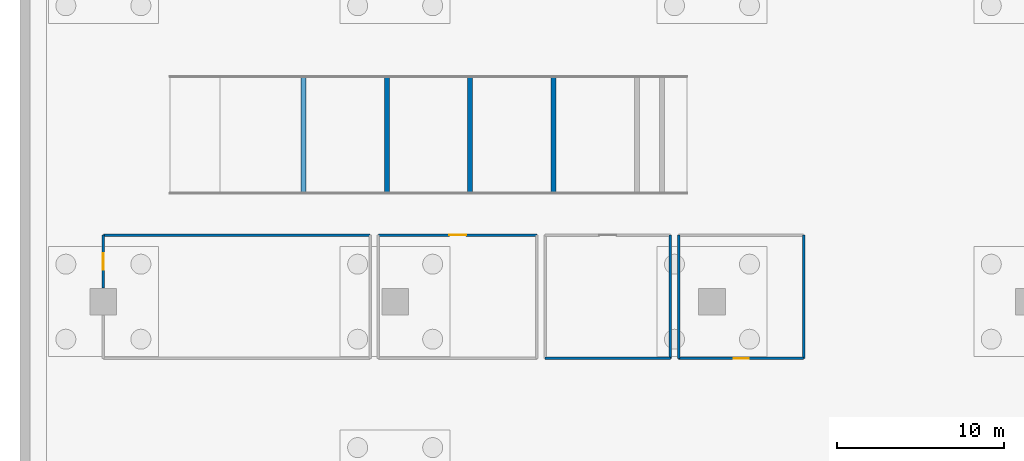
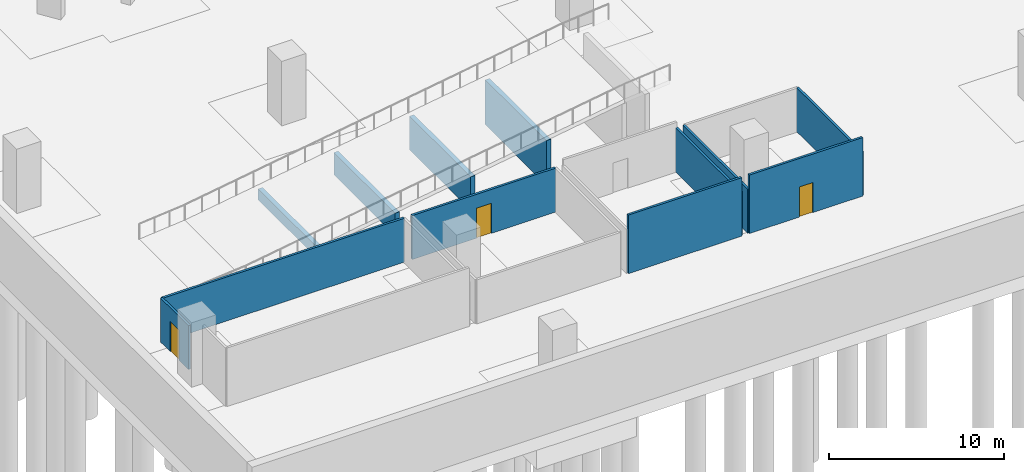
# One storey, part 3 of 13: 12 walls, 3 doors, 3 openings.
"""IFC4 building model written with IfcOpenShell, lengths in metres."""

from ifc_helpers import new_model, si_unit, direction, frame, frame_2d, origin, place, context, subcontext, project, spatial, rectangle, extrude, material, layer, layer_set, type_object, element, fill, save


model = new_model("IFC4")

# Units and contexts
model_context = context("Model", 3, precision=1e-05, world=origin(), true_north=direction((0.0, 1.0)))
body_context = subcontext(model_context, "Body", "Model", "MODEL_VIEW")
ifc_project = project(units=[si_unit("LENGTHUNIT", "METRE"), si_unit("AREAUNIT", "SQUARE_METRE"), si_unit("VOLUMEUNIT", "CUBIC_METRE"), si_unit("PLANEANGLEUNIT", "RADIAN"), si_unit("MASSUNIT", "GRAM", prefix="KILO")], contexts=[model_context])

# Site, building, storey
site_placement = place(None, origin())
site = spatial("IfcSite", under=ifc_project, at=site_placement, CompositionType="ELEMENT")
building_placement = place(site_placement, origin())
building = spatial("IfcBuilding", under=site, at=building_placement, Name="Tel Ilan Convention Tower", CompositionType="ELEMENT")
storey_placement = place(building_placement, frame((0.0, 0.0, -9.0)))
storey = spatial("IfcBuildingStorey", under=building, at=storey_placement, Name="B2", CompositionType="ELEMENT", Elevation=-9.0)

# Wall, opening, door
ifc_material_1 = material(Name="Plasterboard on Steel Studs", Category="steel")
ifc_layer_1 = layer(ifc_material_1, 0.14990234375)
ifc_layer_set_1 = layer_set([ifc_layer_1], Name="Fire-rated Partition 150 EI 60")
wall_type_1 = type_object("IfcWallType", Name="Fire-rated Partition 150 EI 60", PredefinedType="PARTITIONING", material=ifc_layer_set_1)
wall_1_placement = place(storey_placement, frame((-46.0009765625, -64.0, 0.0), z_axis=(0.0, 0.0, 1.0), x_axis=(0.0, -1.0, 0.0)))
wall_1 = element("IfcWall", 1, at=wall_1_placement, inside=storey, type_object=wall_type_1, Name="Partition 001", PredefinedType="PARTITIONING", context=body_context, shape_type="SweptSolid", body=[
    extrude(rectangle(XDim=3.179931640625, YDim=0.14990234375, at=frame_2d((1.58984375, 0.0))), origin(), (0.0, 0.0, 1.0), 3.070068359375),
])
opening_1_placement = place(wall_1_placement, frame((1.090087890625, 0.0, 0.0)))
opening_1 = element("IfcOpeningElement", 2, at=opening_1_placement, cuts=wall_1, Name="Opening B2-001", PredefinedType="OPENING", context=body_context, shape_type="SweptSolid", body=[
    extrude(rectangle(XDim=1.0, YDim=2.10009765625, at=frame_2d((0.5, 1.050048828125))), frame((0.0, 0.0849609375, 0.0), z_axis=(0.0, -1.0, 0.0), x_axis=(1.0, 0.0, 0.0)), (0.0, 0.0, 1.0), 0.169921875),
])
ifc_material_2 = material(Name="Timber Door Leaf in Steel Frame", Category="steel")
door_type_1 = type_object("IfcDoorType", Name="Plant Room Fire Door 1000x2100", OperationType="NOTDEFINED", PredefinedType="DOOR", material=ifc_material_2)
door_1_placement = place(opening_1_placement, origin())
door_1 = element("IfcDoor", 3, at=door_1_placement, inside=storey, type_object=door_type_1, Name="Door B2-001", OperationType="SINGLE_SWING_RIGHT", OverallHeight=2.10009765625, OverallWidth=1.0, PredefinedType="DOOR", context=body_context, shape_type="SweptSolid", body=[
    extrude(rectangle(XDim=1.0, YDim=2.10009765625, at=frame_2d((0.5, 1.050048828125))), frame((0.0, 0.02490234375, 0.0), z_axis=(0.0, -1.0, 0.0), x_axis=(1.0, 0.0, 0.0)), (0.0, 0.0, 1.0), 0.050048828125),
])
fill(opening_1, door_1)

# Wall
wall_2_placement = place(storey_placement, frame((-30.0, -63.9990234375, 0.0), z_axis=(0.0, 0.0, 1.0), x_axis=(-1.0, 0.0, 0.0)))
element("IfcWall", 4, at=wall_2_placement, inside=storey, type_object=wall_type_1, Name="Partition 005", PredefinedType="PARTITIONING", context=body_context, shape_type="SweptSolid", body=[
    extrude(rectangle(XDim=16.0, YDim=0.14990234375, at=frame_2d((8.0, 0.0))), origin(), (0.0, 0.0, 1.0), 3.070068359375),
])

# Wall, opening, door
wall_3_placement = place(storey_placement, frame((-20.0, -63.9990234375, 0.0), z_axis=(0.0, 0.0, 1.0), x_axis=(-1.0, 0.0, 0.0)))
wall_3 = element("IfcWall", 5, at=wall_3_placement, inside=storey, type_object=wall_type_1, Name="Partition 006", PredefinedType="PARTITIONING", context=body_context, shape_type="SweptSolid", body=[
    extrude(rectangle(XDim=9.5, YDim=0.14990234375, at=frame_2d((4.75, 0.0))), origin(), (0.0, 0.0, 1.0), 3.070068359375),
])
opening_2_placement = place(wall_3_placement, frame((4.25, 0.0, 0.0)))
opening_2 = element("IfcOpeningElement", 6, at=opening_2_placement, cuts=wall_3, Name="Opening B2-002", PredefinedType="OPENING", context=body_context, shape_type="SweptSolid", body=[
    extrude(rectangle(XDim=1.0, YDim=2.10009765625, at=frame_2d((0.5, 1.050048828125))), frame((0.0, 0.0849609375, 0.0), z_axis=(0.0, -1.0, 0.0), x_axis=(1.0, 0.0, 0.0)), (0.0, 0.0, 1.0), 0.169921875),
])
door_2_placement = place(opening_2_placement, origin())
door_2 = element("IfcDoor", 7, at=door_2_placement, inside=storey, type_object=door_type_1, Name="Door B2-002", OperationType="SINGLE_SWING_LEFT", OverallHeight=2.10009765625, OverallWidth=1.0, PredefinedType="DOOR", context=body_context, shape_type="SweptSolid", body=[
    extrude(rectangle(XDim=1.0, YDim=2.10009765625, at=frame_2d((0.5, 1.050048828125))), frame((0.0, 0.02490234375, 0.0), z_axis=(0.0, -1.0, 0.0), x_axis=(1.0, 0.0, 0.0)), (0.0, 0.0, 1.0), 0.050048828125),
])
fill(opening_2, door_2)

# Walls
wall_4_placement = place(storey_placement, frame((-19.5, -71.40087890625, 0.0), z_axis=(0.0, 0.0, 1.0), x_axis=(1.0, 0.0, 0.0)))
element("IfcWall", 8, at=wall_4_placement, inside=storey, type_object=wall_type_1, Name="Partition 012", PredefinedType="PARTITIONING", context=body_context, shape_type="SweptSolid", body=[
    extrude(rectangle(XDim=7.5, YDim=0.14990234375, at=frame_2d((3.75, 0.0))), origin(), (0.0, 0.0, 1.0), 4.090087890625),
])
for number, where, z_axis, x_axis, name in (
    (9, (-11.9990234375, -71.39990234375, 0.0), (0.0, 0.0, 1.0), (0.0, 1.0, 0.0), "Partition 013"),
    (10, (-11.5009765625, -64.0, 0.0), (0.0, 0.0, 1.0), (0.0, -1.0, 0.0), "Partition 023"),
):
    element("IfcWall", number, at=place(storey_placement, frame(where, z_axis=z_axis, x_axis=x_axis)), inside=storey, type_object=wall_type_1, Name=name, PredefinedType="PARTITIONING", context=body_context, shape_type="SweptSolid", body=[
        extrude(rectangle(XDim=7.39990234375, YDim=0.14990234375, at=frame_2d((3.699951171875, 0.0))), origin(), (0.0, 0.0, 1.0), 3.070068359375),
    ])

# Wall, opening, door
wall_5_placement = place(storey_placement, frame((-11.5, -71.40087890625, 0.0), z_axis=(0.0, 0.0, 1.0), x_axis=(1.0, 0.0, 0.0)))
wall_5 = element("IfcWall", 11, at=wall_5_placement, inside=storey, type_object=wall_type_1, Name="Partition 024", PredefinedType="PARTITIONING", context=body_context, shape_type="SweptSolid", body=[
    extrude(rectangle(XDim=7.5, YDim=0.14990234375, at=frame_2d((3.75, 0.0))), origin(), (0.0, 0.0, 1.0), 4.090087890625),
])
opening_3_placement = place(wall_5_placement, frame((3.300048828125, 0.0, 0.0)))
opening_3 = element("IfcOpeningElement", 12, at=opening_3_placement, cuts=wall_5, Name="Opening B2-006", PredefinedType="OPENING", context=body_context, shape_type="SweptSolid", body=[
    extrude(rectangle(XDim=0.89990234375, YDim=2.10009765625, at=frame_2d((0.449951171875, 1.050048828125))), frame((0.0, 0.0849609375, 0.0), z_axis=(0.0, -1.0, 0.0), x_axis=(1.0, 0.0, 0.0)), (0.0, 0.0, 1.0), 0.169921875),
])
ifc_material_3 = material(Name="Timber Door Leaf in Steel Frame", Category="steel")
door_type_2 = type_object("IfcDoorType", Name="Riser and Service Fire Door 900x2100", OperationType="NOTDEFINED", PredefinedType="DOOR", material=ifc_material_3)
door_3_placement = place(opening_3_placement, origin())
door_3 = element("IfcDoor", 13, at=door_3_placement, inside=storey, type_object=door_type_2, Name="Door B2-006", OperationType="SINGLE_SWING_RIGHT", OverallHeight=2.10009765625, OverallWidth=0.89990234375, PredefinedType="DOOR", context=body_context, shape_type="SweptSolid", body=[
    extrude(rectangle(XDim=0.89990234375, YDim=2.10009765625, at=frame_2d((0.449951171875, 1.050048828125))), frame((0.0, 0.02490234375, 0.0), z_axis=(0.0, -1.0, 0.0), x_axis=(1.0, 0.0, 0.0)), (0.0, 0.0, 1.0), 0.050048828125),
])
fill(opening_3, door_3)

# Walls
wall_6_placement = place(storey_placement, frame((-3.9990234375, -71.39990234375, 0.0), z_axis=(0.0, 0.0, 1.0), x_axis=(0.0, 1.0, 0.0)))
element("IfcWall", 14, at=wall_6_placement, inside=storey, type_object=wall_type_1, Name="Partition 025", PredefinedType="PARTITIONING", context=body_context, shape_type="SweptSolid", body=[
    extrude(rectangle(XDim=7.39990234375, YDim=0.14990234375, at=frame_2d((3.699951171875, 0.0))), origin(), (0.0, 0.0, 1.0), 3.070068359375),
])
ifc_material_4 = material(Name="Concrete C40/50", Category="concrete")
ifc_layer_2 = layer(ifc_material_4, 0.300048828125)
ifc_layer_set_2 = layer_set([ifc_layer_2], Name="Ramp Cross Wall 300 mm Concrete C40/50")
wall_type_2 = type_object("IfcWallType", Name="Ramp Cross Wall 300 mm Concrete C40/50", PredefinedType="SOLIDWALL", material=ifc_layer_set_2)
wall_7_placement = place(storey_placement, frame((-34.0, -61.5, 0.0), z_axis=(0.0, 0.0, 1.0), x_axis=(0.0, 1.0, 0.0)))
element("IfcWall", 15, at=wall_7_placement, inside=storey, type_object=wall_type_2, Name="Car Park Ramp B2-B1 cross wall 1", PredefinedType="SOLIDWALL", context=body_context, shape_type="SweptSolid", body=[
    extrude(rectangle(XDim=7.0, YDim=0.300048828125, at=frame_2d((3.5, 0.0))), origin(), (0.0, 0.0, 1.0), 0.764404296875),
])
wall_8_placement = place(storey_placement, frame((-29.0, -61.5, 0.0), z_axis=(0.0, 0.0, 1.0), x_axis=(0.0, 1.0, 0.0)))
element("IfcWall", 16, at=wall_8_placement, inside=storey, type_object=wall_type_2, Name="Car Park Ramp B2-B1 cross wall 2", PredefinedType="SOLIDWALL", context=body_context, shape_type="SweptSolid", body=[
    extrude(rectangle(XDim=7.0, YDim=0.300048828125, at=frame_2d((3.5, 0.0))), origin(), (0.0, 0.0, 1.0), 1.552490234375),
])
wall_9_placement = place(storey_placement, frame((-24.0, -61.5, 0.0), z_axis=(0.0, 0.0, 1.0), x_axis=(0.0, 1.0, 0.0)))
element("IfcWall", 17, at=wall_9_placement, inside=storey, type_object=wall_type_2, Name="Car Park Ramp B2-B1 cross wall 3", PredefinedType="SOLIDWALL", context=body_context, shape_type="SweptSolid", body=[
    extrude(rectangle(XDim=7.0, YDim=0.300048828125, at=frame_2d((3.5, 0.0))), origin(), (0.0, 0.0, 1.0), 2.34033203125),
])
wall_10_placement = place(storey_placement, frame((-19.0, -61.5, 0.0), z_axis=(0.0, 0.0, 1.0), x_axis=(0.0, 1.0, 0.0)))
element("IfcWall", 18, at=wall_10_placement, inside=storey, type_object=wall_type_2, Name="Car Park Ramp B2-B1 cross wall 4", PredefinedType="SOLIDWALL", context=body_context, shape_type="SweptSolid", body=[
    extrude(rectangle(XDim=7.0, YDim=0.300048828125, at=frame_2d((3.5, 0.0))), origin(), (0.0, 0.0, 1.0), 3.12841796875),
])

save(model, "model.ifc")
